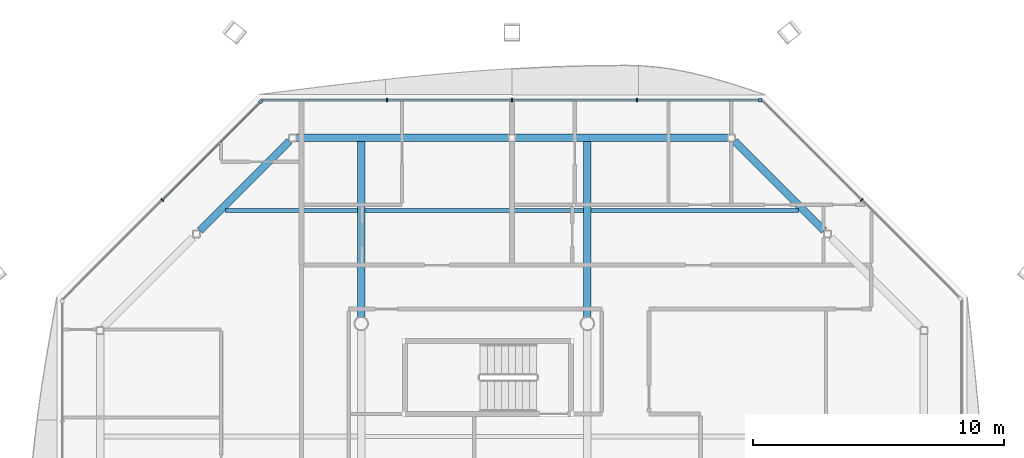
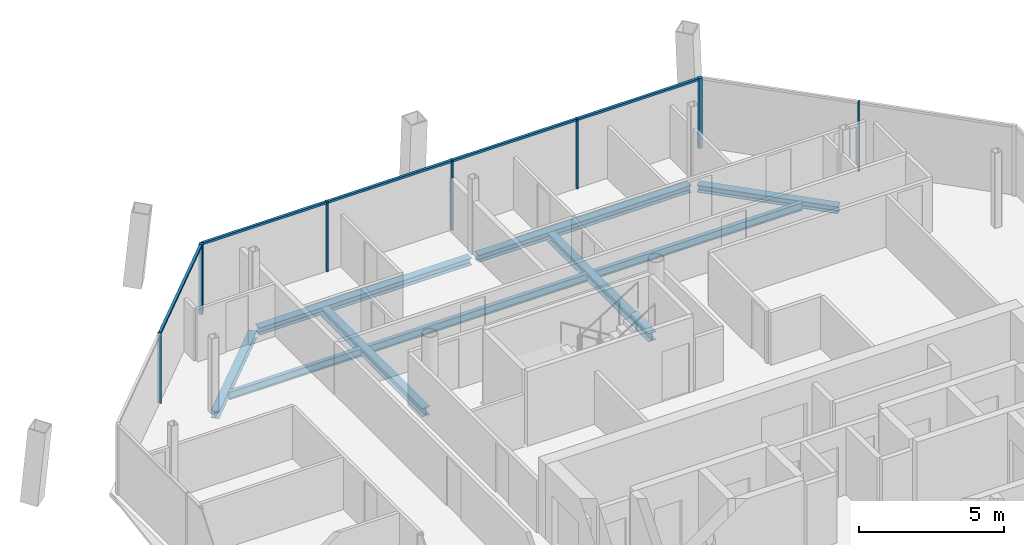
# One storey, part 8 of 15: 12 members, 9 beams, 3 elements without a shape of their own.
"""IFC4 building model written with IfcOpenShell, lengths in metres."""

from ifc_helpers import new_model, si_unit, direction, frame, origin, origin_2d, place, context, subcontext, project, spatial, rectangle, i_section, extrude, material, material_profile, profile_set, type_object, element, aggregate, save


model = new_model("IFC4")

# Units and contexts
model_context = context("Model", 3, precision=1e-05, world=origin(), true_north=direction((0.0, 1.0)))
body_context = subcontext(model_context, "Body", "Model", "MODEL_VIEW")
ifc_project = project(units=[si_unit("LENGTHUNIT", "METRE"), si_unit("AREAUNIT", "SQUARE_METRE"), si_unit("VOLUMEUNIT", "CUBIC_METRE"), si_unit("PLANEANGLEUNIT", "RADIAN"), si_unit("MASSUNIT", "GRAM", prefix="KILO")], contexts=[model_context])

# Site, building, storey
site_placement = place(None, origin())
site = spatial("IfcSite", under=ifc_project, at=site_placement, CompositionType="ELEMENT")
building_placement = place(site_placement, origin())
building = spatial("IfcBuilding", under=site, at=building_placement, Name="Tskaro Facet Tower", CompositionType="ELEMENT")
storey_placement = place(building_placement, frame((0.0, 0.0, 242.39990234375)))
storey = spatial("IfcBuildingStorey", under=building, at=storey_placement, Name="L63", CompositionType="ELEMENT", Elevation=242.39990234375)

# Curtain wall, member
ifc_material_1 = material(Name="Bronze anodised aluminium 6063-T6", Category="aluminium")
curtain_wall_type = type_object("IfcCurtainWallType", Name="Bronze residence curtain wall (FW3)", PredefinedType="NOTDEFINED", material=ifc_material_1)
curtain_wall_1_placement = place(storey_placement, origin())
curtain_wall_1 = element("IfcCurtainWall", 1, at=curtain_wall_1_placement, inside=storey, type_object=curtain_wall_type, Name="FW3 north facet L63", PredefinedType="NOTDEFINED")
ifc_material_profile_1 = material_profile(ifc_material_1, rectangle(XDim=0.139892578125, YDim=0.139892578125, at=origin_2d()), Name="Corner post 140x140")
ifc_profile_set_1 = profile_set([ifc_material_profile_1], Name="Bronze anodised aluminium 6063-T6")
member_type_1 = type_object("IfcMemberType", Name="FW3 bronze corner post 140x140", PredefinedType="MULLION", material=ifc_profile_set_1)
member_1_placement = place(storey_placement, frame((6.8779296875, 17.888916015625, 0.0), z_axis=(0.0, 0.0, 1.0), x_axis=(-1.0, 0.0, 0.0)))
member_1 = element("IfcMember", 2, at=member_1_placement, type_object=member_type_1, Name="FW3 north corner post", PredefinedType="MULLION", context=body_context, shape_type="SweptSolid", body=[
    extrude(rectangle(XDim=0.139892578125, YDim=0.139892578125, at=origin_2d()), origin(), (0.0, 0.0, 1.0), 2.9501953125),
])

curtain_wall_2_placement = place(storey_placement, origin())
curtain_wall_2 = element("IfcCurtainWall", 3, at=curtain_wall_2_placement, inside=storey, type_object=curtain_wall_type, Name="FW3 north-west facet L63", PredefinedType="NOTDEFINED")
member_2_placement = place(storey_placement, frame((-12.99755859375, 17.839599609375, 0.0), z_axis=(0.0, 0.0, 1.0), x_axis=(-0.707106781187, -0.707106781187, 0.0)))
member_2 = element("IfcMember", 4, at=member_2_placement, type_object=member_type_1, Name="FW3 north-west corner post", PredefinedType="MULLION", context=body_context, shape_type="SweptSolid", body=[
    extrude(rectangle(XDim=0.139892578125, YDim=0.139892578125, at=origin_2d()), origin(), (0.0, 0.0, 1.0), 2.9501953125),
])

curtain_wall_3_placement = place(storey_placement, origin())
curtain_wall_3 = element("IfcCurtainWall", 5, at=curtain_wall_3_placement, inside=storey, type_object=curtain_wall_type, Name="FW3 north-east facet L63", PredefinedType="NOTDEFINED")
ifc_material_profile_2 = material_profile(ifc_material_1, rectangle(XDim=0.050048828125, YDim=0.139892578125, at=origin_2d()), Name="Mullion 50x140")
ifc_profile_set_2 = profile_set([ifc_material_profile_2], Name="Bronze anodised aluminium 6063-T6")
member_type_2 = type_object("IfcMemberType", Name="FW3 bronze mullion 50x140", PredefinedType="MULLION", material=ifc_profile_set_2)
member_3_placement = place(storey_placement, frame((10.91845703125, 13.91845703125, 0.0), z_axis=(0.0, 0.0, 1.0), x_axis=(-0.707106781187, 0.707106781187, 0.0)))
member_3 = element("IfcMember", 6, at=member_3_placement, type_object=member_type_2, Name="FW3 north-east mullion 1", PredefinedType="MULLION", context=body_context, shape_type="SweptSolid", body=[
    extrude(rectangle(XDim=0.050048828125, YDim=0.139892578125, at=origin_2d()), origin(), (0.0, 0.0, 1.0), 2.9501953125),
])
aggregate(curtain_wall_3, [member_3])

# Member
member_4_placement = place(storey_placement, frame((1.97412109375, 17.888916015625, 0.0), z_axis=(0.0, 0.0, 1.0), x_axis=(-1.0, 0.0, 0.0)))
member_4 = element("IfcMember", 7, at=member_4_placement, type_object=member_type_2, Name="FW3 north mullion 1", PredefinedType="MULLION", context=body_context, shape_type="SweptSolid", body=[
    extrude(rectangle(XDim=0.050048828125, YDim=0.139892578125, at=origin_2d()), origin(), (0.0, 0.0, 1.0), 2.9501953125),
])

member_5_placement = place(storey_placement, frame((-3.0, 17.888916015625, 0.0), z_axis=(0.0, 0.0, 1.0), x_axis=(-1.0, 0.0, 0.0)))
member_5 = element("IfcMember", 8, at=member_5_placement, type_object=member_type_2, Name="FW3 north mullion 2", PredefinedType="MULLION", context=body_context, shape_type="SweptSolid", body=[
    extrude(rectangle(XDim=0.050048828125, YDim=0.139892578125, at=origin_2d()), origin(), (0.0, 0.0, 1.0), 2.9501953125),
])

member_6_placement = place(storey_placement, frame((-7.97412109375, 17.888916015625, 0.0), z_axis=(0.0, 0.0, 1.0), x_axis=(-1.0, 0.0, 0.0)))
member_6 = element("IfcMember", 9, at=member_6_placement, type_object=member_type_2, Name="FW3 north mullion 3", PredefinedType="MULLION", context=body_context, shape_type="SweptSolid", body=[
    extrude(rectangle(XDim=0.050048828125, YDim=0.139892578125, at=origin_2d()), origin(), (0.0, 0.0, 1.0), 2.9501953125),
])

member_7_placement = place(storey_placement, frame((-16.91845703125, 13.91845703125, 0.0), z_axis=(0.0, 0.0, 1.0), x_axis=(-0.707106781187, -0.707106781187, 0.0)))
member_7 = element("IfcMember", 10, at=member_7_placement, type_object=member_type_2, Name="FW3 north-west mullion 1", PredefinedType="MULLION", context=body_context, shape_type="SweptSolid", body=[
    extrude(rectangle(XDim=0.050048828125, YDim=0.139892578125, at=origin_2d()), origin(), (0.0, 0.0, 1.0), 2.9501953125),
])

ifc_material_profile_3 = material_profile(ifc_material_1, rectangle(XDim=0.10009765625, YDim=0.090087890625, at=origin_2d()), Name="Transom 100x90")
ifc_profile_set_3 = profile_set([ifc_material_profile_3], Name="Bronze anodised aluminium 6063-T6")
member_type_3 = type_object("IfcMemberType", Name="FW3 bronze transom 100x90", PredefinedType="USERDEFINED", material=ifc_profile_set_3)
member_8_placement = place(storey_placement, frame((6.80810546875, 17.888916015625, 2.905029296875), z_axis=(-1.0, 0.0, 0.0), x_axis=(0.0, -1.0, 0.0)))
member_8 = element("IfcMember", 11, at=member_8_placement, type_object=member_type_3, Name="FW3 north transom 1.1", ObjectType="TRANSOM", PredefinedType="USERDEFINED", context=body_context, shape_type="SweptSolid", body=[
    extrude(rectangle(XDim=0.10009765625, YDim=0.090087890625, at=origin_2d()), origin(), (0.0, 0.0, 1.0), 4.80908203125),
])

member_9_placement = place(storey_placement, frame((1.948974609375, 17.888916015625, 2.905029296875), z_axis=(-1.0, 0.0, 0.0), x_axis=(0.0, -1.0, 0.0)))
member_9 = element("IfcMember", 12, at=member_9_placement, type_object=member_type_3, Name="FW3 north transom 2.1", ObjectType="TRANSOM", PredefinedType="USERDEFINED", context=body_context, shape_type="SweptSolid", body=[
    extrude(rectangle(XDim=0.10009765625, YDim=0.090087890625, at=origin_2d()), origin(), (0.0, 0.0, 1.0), 4.924072265625),
])

member_10_placement = place(storey_placement, frame((-3.02490234375, 17.888916015625, 2.905029296875), z_axis=(-1.0, 0.0, 0.0), x_axis=(0.0, -1.0, 0.0)))
member_10 = element("IfcMember", 13, at=member_10_placement, type_object=member_type_3, Name="FW3 north transom 3.1", ObjectType="TRANSOM", PredefinedType="USERDEFINED", context=body_context, shape_type="SweptSolid", body=[
    extrude(rectangle(XDim=0.10009765625, YDim=0.090087890625, at=origin_2d()), origin(), (0.0, 0.0, 1.0), 4.924072265625),
])

member_11_placement = place(storey_placement, frame((-7.9990234375, 17.888916015625, 2.905029296875), z_axis=(-1.0, 0.0, 0.0), x_axis=(0.0, -1.0, 0.0)))
member_11 = element("IfcMember", 14, at=member_11_placement, type_object=member_type_3, Name="FW3 north transom 4.1", ObjectType="TRANSOM", PredefinedType="USERDEFINED", context=body_context, shape_type="SweptSolid", body=[
    extrude(rectangle(XDim=0.10009765625, YDim=0.090087890625, at=origin_2d()), origin(), (0.0, 0.0, 1.0), 4.948974609375),
])

aggregate(curtain_wall_1, [member_1, member_4, member_5, member_6, member_8, member_9, member_10, member_11])

member_12_placement = place(storey_placement, frame((-13.046875, 17.7900390625, 2.905029296875), z_axis=(-0.707129178183, -0.70708438348, 0.0), x_axis=(0.70708438348, -0.707129178183, 0.0)))
member_12 = element("IfcMember", 15, at=member_12_placement, type_object=member_type_3, Name="FW3 north-west transom 1.1", ObjectType="TRANSOM", PredefinedType="USERDEFINED", context=body_context, shape_type="SweptSolid", body=[
    extrude(rectangle(XDim=0.10009765625, YDim=0.090087890625, at=origin_2d()), origin(), (0.0, 0.0, 1.0), 5.4501953125),
])

aggregate(curtain_wall_2, [member_2, member_7, member_12])

# Beams
ifc_material_2 = material(Name="Steel S355J2", Category="steel")
ifc_material_profile_4 = material_profile(ifc_material_2, i_section(OverallWidth=0.300048828125, OverallDepth=0.300048828125, WebThickness=0.010986328125, FlangeThickness=0.01904296875, FilletRadius=0.027099609375, at=origin_2d()), Name="HE 300 B")
ifc_profile_set_4 = profile_set([ifc_material_profile_4], Name="Steel S355J2")
beam_type_1 = type_object("IfcBeamType", Name="HE 300 B ring beam", PredefinedType="BEAM", material=ifc_profile_set_4)
beam_1_placement = place(storey_placement, frame((9.422119140625, 12.69384765625, -0.289794921875), z_axis=(-0.707106781187, 0.707106781187, 0.0), x_axis=(-0.707106781187, -0.707106781187, 0.0)))
element("IfcBeam", 16, at=beam_1_placement, inside=storey, type_object=beam_type_1, Name="HE 300 B EB9-5", PredefinedType="BEAM", context=body_context, shape_type="SweptSolid", body=[
    extrude(i_section(OverallWidth=0.300048828125, OverallDepth=0.300048828125, WebThickness=0.010986328125, FlangeThickness=0.01904296875, FilletRadius=0.027099609375, at=origin_2d()), origin(), (0.0, 0.0, 1.0), 5.036376953125),
])
for number, where, z_axis, x_axis, name in (
    (17, (5.594970703125, 16.39111328125, -0.289794921875), (-1.0, 0.0, 0.0), (0.0, -1.0, 0.0), "HE 300 B EB10-5"),
    (18, (-3.1298828125, 16.39111328125, -0.289794921875), (-1.0, 0.0, 0.0), (0.0, -1.0, 0.0), "HE 300 B EB11-5"),
):
    element("IfcBeam", number, at=place(storey_placement, frame(where, z_axis=z_axis, x_axis=x_axis)), inside=storey, type_object=beam_type_1, Name=name, PredefinedType="BEAM", context=body_context, shape_type="SweptSolid", body=[
        extrude(i_section(OverallWidth=0.300048828125, OverallDepth=0.300048828125, WebThickness=0.010986328125, FlangeThickness=0.01904296875, FilletRadius=0.027099609375, at=origin_2d()), origin(), (0.0, 0.0, 1.0), 8.465087890625),
    ])
beam_2_placement = place(storey_placement, frame((-11.86083984375, 16.255126953125, -0.289794921875), z_axis=(-0.707106781187, -0.707106781187, 0.0), x_axis=(0.707106781187, -0.707106781187, 0.0)))
element("IfcBeam", 19, at=beam_2_placement, inside=storey, type_object=beam_type_1, Name="HE 300 B EB12-5", PredefinedType="BEAM", context=body_context, shape_type="SweptSolid", body=[
    extrude(i_section(OverallWidth=0.300048828125, OverallDepth=0.300048828125, WebThickness=0.010986328125, FlangeThickness=0.01904296875, FilletRadius=0.027099609375, at=origin_2d()), origin(), (0.0, 0.0, 1.0), 5.036376953125),
])
ifc_material_profile_5 = material_profile(ifc_material_2, i_section(OverallWidth=0.300048828125, OverallDepth=0.35009765625, WebThickness=0.010009765625, FlangeThickness=0.017578125, FilletRadius=0.027099609375, at=origin_2d()), Name="HE 360 A")
ifc_profile_set_5 = profile_set([ifc_material_profile_5], Name="Steel S355J2")
beam_type_2 = type_object("IfcBeamType", Name="HE 360 A girder", PredefinedType="BEAM", material=ifc_profile_set_5)
for number, where, z_axis, x_axis, name in (
    (20, (-9.0, 9.24951171875, -0.31494140625), (0.0, 1.0, 0.0), (-1.0, 0.0, 0.0), "HE 360 A GB3-3-5"),
    (21, (0.0, 9.24951171875, -0.31494140625), (0.0, 1.0, 0.0), (-1.0, 0.0, 0.0), "HE 360 A GB4-3-5"),
):
    element("IfcBeam", number, at=place(storey_placement, frame(where, z_axis=z_axis, x_axis=x_axis)), inside=storey, type_object=beam_type_2, Name=name, PredefinedType="BEAM", context=body_context, shape_type="SweptSolid", body=[
        extrude(i_section(OverallWidth=0.300048828125, OverallDepth=0.35009765625, WebThickness=0.010009765625, FlangeThickness=0.017578125, FilletRadius=0.027099609375, at=origin_2d()), origin(), (0.0, 0.0, 1.0), 6.991455078125),
    ])
ifc_material_profile_6 = material_profile(ifc_material_2, i_section(OverallWidth=0.159912109375, OverallDepth=0.330078125, WebThickness=0.007568359375, FlangeThickness=0.011474609375, FilletRadius=0.01806640625, at=origin_2d()), Name="IPE 330")
ifc_profile_set_6 = profile_set([ifc_material_profile_6], Name="Steel S355J2")
beam_type_3 = type_object("IfcBeamType", Name="IPE 330 secondary beam", PredefinedType="BEAM", material=ifc_profile_set_6)
beam_3_placement = place(storey_placement, frame((-14.404052734375, 13.5, -0.304931640625), z_axis=(1.0, 0.0, 0.0), x_axis=(0.0, 1.0, 0.0)))
element("IfcBeam", 22, at=beam_3_placement, inside=storey, type_object=beam_type_3, Name="IPE 330 SB5a-1-5", PredefinedType="BEAM", context=body_context, shape_type="SweptSolid", body=[
    extrude(i_section(OverallWidth=0.159912109375, OverallDepth=0.330078125, WebThickness=0.007568359375, FlangeThickness=0.011474609375, FilletRadius=0.01806640625, at=origin_2d()), origin(), (0.0, 0.0, 1.0), 5.254150390625),
])
beam_4_placement = place(storey_placement, frame((-8.85009765625, 13.5, -0.304931640625), z_axis=(1.0, 0.0, 0.0), x_axis=(0.0, 1.0, 0.0)))
element("IfcBeam", 23, at=beam_4_placement, inside=storey, type_object=beam_type_3, Name="IPE 330 SB5a-2-5", PredefinedType="BEAM", context=body_context, shape_type="SweptSolid", body=[
    extrude(i_section(OverallWidth=0.159912109375, OverallDepth=0.330078125, WebThickness=0.007568359375, FlangeThickness=0.011474609375, FilletRadius=0.01806640625, at=origin_2d()), origin(), (0.0, 0.0, 1.0), 8.7001953125),
])
beam_5_placement = place(storey_placement, frame((0.14990234375, 13.5, -0.304931640625), z_axis=(1.0, 0.0, 0.0), x_axis=(0.0, 1.0, 0.0)))
element("IfcBeam", 24, at=beam_5_placement, inside=storey, type_object=beam_type_3, Name="IPE 330 SB5a-3-5", PredefinedType="BEAM", context=body_context, shape_type="SweptSolid", body=[
    extrude(i_section(OverallWidth=0.159912109375, OverallDepth=0.330078125, WebThickness=0.007568359375, FlangeThickness=0.011474609375, FilletRadius=0.01806640625, at=origin_2d()), origin(), (0.0, 0.0, 1.0), 8.254150390625),
])

save(model, "model.ifc")
